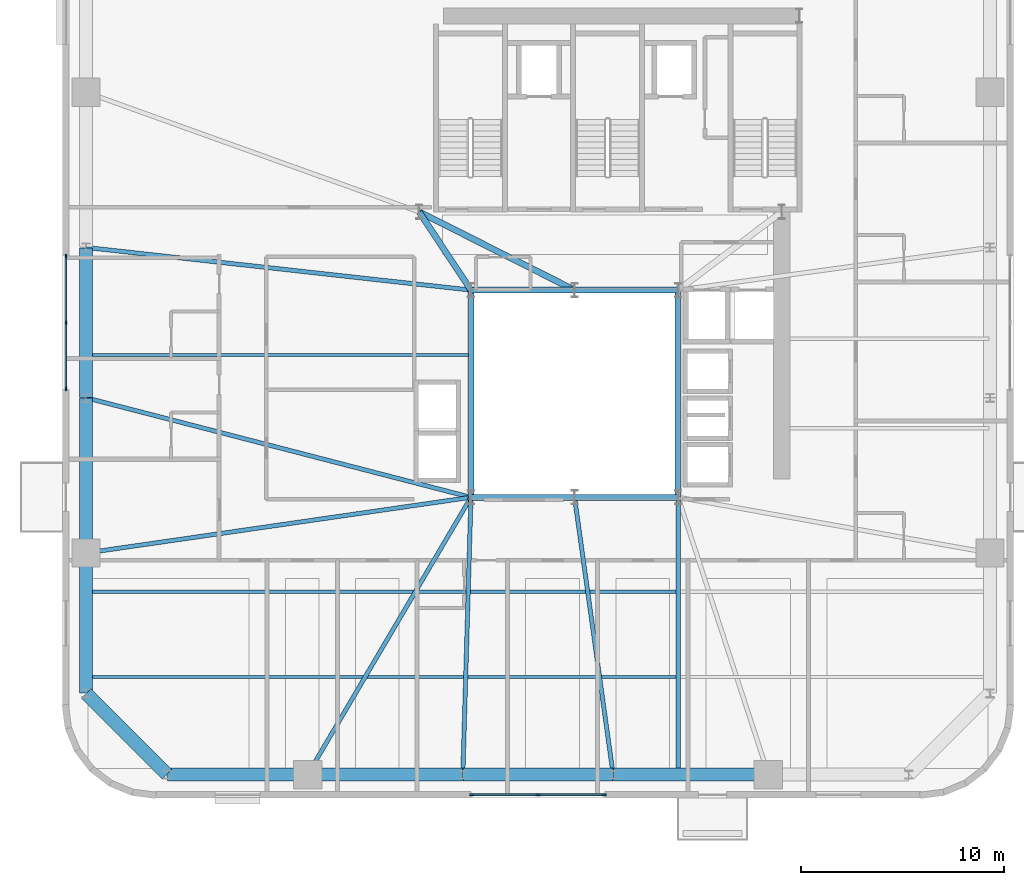
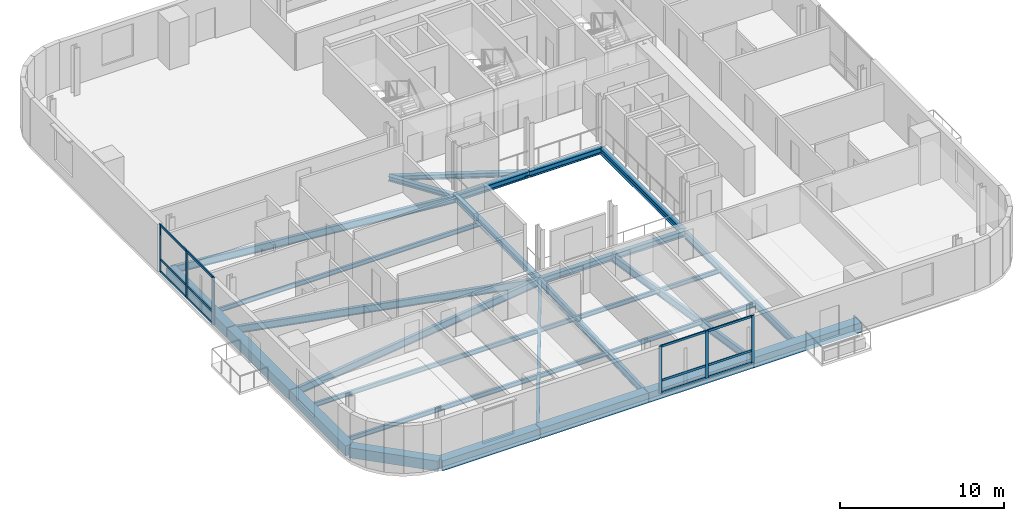
# One storey, part 3 of 12: 26 beams, 18 members, 2 elements without a shape of their own.
"""IFC4 building model written with IfcOpenShell, lengths in metres."""

from ifc_helpers import new_model, si_unit, direction, frame, origin, origin_2d, place, context, subcontext, project, spatial, rectangle, i_section, extrude, source, transform, mapped, material, material_profile, profile_set, type_object, element, aggregate, save


model = new_model("IFC4")

# Units and contexts
model_context = context("Model", 3, precision=1e-05, world=origin(), true_north=direction((0.0, 1.0)))
body_context = subcontext(model_context, "Body", "Model", "MODEL_VIEW")
ifc_project = project(units=[si_unit("LENGTHUNIT", "METRE"), si_unit("AREAUNIT", "SQUARE_METRE"), si_unit("VOLUMEUNIT", "CUBIC_METRE"), si_unit("PLANEANGLEUNIT", "RADIAN"), si_unit("MASSUNIT", "GRAM", prefix="KILO")], contexts=[model_context])

# Site, building, storey
site_placement = place(None, origin())
site = spatial("IfcSite", under=ifc_project, at=site_placement, CompositionType="ELEMENT")
building_placement = place(site_placement, origin())
building = spatial("IfcBuilding", under=site, at=building_placement, Name="Vardaveli Station Tower", CompositionType="ELEMENT")
storey_placement = place(building_placement, frame((0.0, 0.0, 214.800048828125)))
storey = spatial("IfcBuildingStorey", under=building, at=storey_placement, Name="L55", CompositionType="ELEMENT", Elevation=214.800048828125)

# Beams
ifc_material_1 = material(Name="Structural steel S355J2", Category="steel")
ifc_material_profile_1 = material_profile(ifc_material_1, i_section(OverallWidth=0.300048828125, OverallDepth=0.449951171875, WebThickness=0.013916015625, FlangeThickness=0.02587890625, FilletRadius=0.027099609375, at=origin_2d()), Name="HEB 450")
ifc_profile_set_1 = profile_set([ifc_material_profile_1], Name="Structural steel S355J2")
beam_type_1 = type_object("IfcBeamType", Name="BM-HEB450", PredefinedType="BEAM", material=ifc_profile_set_1)
shared_shape_1 = source(origin(), body_context, "Body", "SweptSolid", [
    extrude(i_section(OverallWidth=0.300048828125, OverallDepth=0.449951171875, WebThickness=0.013916015625, FlangeThickness=0.02587890625, FilletRadius=0.027099609375, at=origin_2d()), origin(), (0.0, 0.0, 1.0), 5.06005859375),
])
for number, where, z_axis, x_axis, name in (
    (1, (31.219970703125, 16.60009765625, -0.445068359375), (1.0, 0.0, 0.0), (0.0, 1.0, 0.0), "ABM-L55-01"),
    (2, (36.280029296875, 26.800048828125, -0.445068359375), (-1.0, 0.0, 0.0), (0.0, -1.0, 0.0), "ABM-L55-05"),
):
    element("IfcBeam", number, at=place(storey_placement, frame(where, z_axis=z_axis, x_axis=x_axis)), inside=storey, type_object=beam_type_1, Name=name, PredefinedType="BEAM", context=body_context, shape_type="MappedRepresentation", body=[
        mapped(shared_shape_1, transform((0.0, 0.0, 0.0), scale=1.0)),
    ])
shared_shape_2 = source(origin(), body_context, "Body", "SweptSolid", [
    extrude(i_section(OverallWidth=0.300048828125, OverallDepth=0.449951171875, WebThickness=0.013916015625, FlangeThickness=0.02587890625, FilletRadius=0.027099609375, at=origin_2d()), origin(), (0.0, 0.0, 1.0), 5.059814453125),
])
for number, where, z_axis, x_axis, name in (
    (3, (36.320068359375, 16.60009765625, -0.445068359375), (1.0, 0.0, 0.0), (0.0, 1.0, 0.0), "ABM-L55-02"),
    (4, (41.3798828125, 26.800048828125, -0.445068359375), (-1.0, 0.0, 0.0), (0.0, -1.0, 0.0), "ABM-L55-04"),
):
    element("IfcBeam", number, at=place(storey_placement, frame(where, z_axis=z_axis, x_axis=x_axis)), inside=storey, type_object=beam_type_1, Name=name, PredefinedType="BEAM", context=body_context, shape_type="MappedRepresentation", body=[
        mapped(shared_shape_2, transform((0.0, 0.0, 0.0), scale=1.0)),
    ])
shared_shape_3 = source(origin(), body_context, "Body", "SweptSolid", [
    extrude(i_section(OverallWidth=0.300048828125, OverallDepth=0.449951171875, WebThickness=0.013916015625, FlangeThickness=0.02587890625, FilletRadius=0.027099609375, at=origin_2d()), origin(), (0.0, 0.0, 1.0), 10.159912109375),
])
for number, where, z_axis, x_axis, name in (
    (5, (41.39990234375, 16.6201171875, -0.445068359375), (0.0, 1.0, 0.0), (-1.0, 0.0, 0.0), "ABM-L55-03"),
    (6, (31.199951171875, 26.780029296875, -0.445068359375), (0.0, -1.0, 0.0), (1.0, 0.0, 0.0), "ABM-L55-06"),
):
    element("IfcBeam", number, at=place(storey_placement, frame(where, z_axis=z_axis, x_axis=x_axis)), inside=storey, type_object=beam_type_1, Name=name, PredefinedType="BEAM", context=body_context, shape_type="MappedRepresentation", body=[
        mapped(shared_shape_3, transform((0.0, 0.0, 0.0), scale=1.0)),
    ])
ifc_material_profile_2 = material_profile(ifc_material_1, i_section(OverallWidth=0.300048828125, OverallDepth=0.360107421875, WebThickness=0.012451171875, FlangeThickness=0.0224609375, FilletRadius=0.027099609375, at=origin_2d()), Name="HEB 360")
ifc_profile_set_2 = profile_set([ifc_material_profile_2], Name="Structural steel S355J2")
beam_type_2 = type_object("IfcBeamType", Name="BM-HEB360", PredefinedType="BEAM", material=ifc_profile_set_2)
shared_shape_4 = source(origin(), body_context, "Body", "SweptSolid", [
    extrude(i_section(OverallWidth=0.300048828125, OverallDepth=0.360107421875, WebThickness=0.012451171875, FlangeThickness=0.0224609375, FilletRadius=0.027099609375, at=origin_2d()), origin(), (0.0, 0.0, 1.0), 4.577880859375),
])
beam_1_placement = place(storey_placement, frame((31.18896484375, 26.816650390625, -0.400146484375), z_axis=(-0.55218702139, 0.833720272879, 0.0), x_axis=(-0.833720272879, -0.55218702139, 0.0)))
element("IfcBeam", 7, at=beam_1_placement, inside=storey, type_object=beam_type_2, Name="CBM-L55-01", PredefinedType="BEAM", context=body_context, shape_type="MappedRepresentation", body=[
    mapped(shared_shape_4, transform((0.0, 0.0, 0.0), scale=1.0)),
])
shared_shape_5 = source(origin(), body_context, "Body", "SweptSolid", [
    extrude(i_section(OverallWidth=0.300048828125, OverallDepth=0.360107421875, WebThickness=0.012451171875, FlangeThickness=0.0224609375, FilletRadius=0.027099609375, at=origin_2d()), origin(), (0.0, 0.0, 1.0), 8.524169921875),
])
beam_2_placement = place(storey_placement, frame((28.66796875, 30.64111328125, -0.400146484375), z_axis=(0.893255584708, -0.449549174605, 0.0), x_axis=(0.449549174605, 0.893255584708, 0.0)))
element("IfcBeam", 8, at=beam_2_placement, inside=storey, type_object=beam_type_2, Name="CBM-L55-03", PredefinedType="BEAM", context=body_context, shape_type="MappedRepresentation", body=[
    mapped(shared_shape_5, transform((0.0, 0.0, 0.0), scale=1.0)),
])
ifc_material_2 = material(Name="Precast concrete C45/55", Category="concrete")
ifc_material_profile_3 = material_profile(ifc_material_2, rectangle(XDim=0.64990234375, YDim=0.75, at=origin_2d()), Name="LPB 650x750")
ifc_profile_set_3 = profile_set([ifc_material_profile_3], Name="Precast concrete C45/55")
beam_type_3 = type_object("IfcBeamType", Name="BM-LPB-750", PredefinedType="BEAM", material=ifc_profile_set_3)
shared_shape_6 = source(origin(), body_context, "Body", "SweptSolid", [
    extrude(rectangle(XDim=0.64990234375, YDim=0.75, at=origin_2d()), origin(), (0.0, 0.0, 1.0), 7.60009765625),
])
for number, where, z_axis, x_axis, name in (
    (9, (23.179931640625, 2.949951171875, -0.594970703125), (1.0, 0.0, 0.0), (0.0, 1.0, 0.0), "RBM-L55-01"),
    (10, (38.219970703125, 2.949951171875, -0.594970703125), (1.0, 0.0, 0.0), (0.0, 1.0, 0.0), "RBM-L55-03"),
    (11, (12.25, 21.47998046875, -0.594970703125), (0.0, -1.0, 0.0), (1.0, 0.0, 0.0), "RBM-L55-21"),
):
    element("IfcBeam", number, at=place(storey_placement, frame(where, z_axis=z_axis, x_axis=x_axis)), inside=storey, type_object=beam_type_3, Name=name, PredefinedType="BEAM", context=body_context, shape_type="MappedRepresentation", body=[
        mapped(shared_shape_6, transform((0.0, 0.0, 0.0), scale=1.0)),
    ])
shared_shape_7 = source(origin(), body_context, "Body", "SweptSolid", [
    extrude(rectangle(XDim=0.64990234375, YDim=0.75, at=origin_2d()), origin(), (0.0, 0.0, 1.0), 7.35986328125),
])
for number, where, z_axis, x_axis, name in (
    (12, (30.820068359375, 2.949951171875, -0.594970703125), (1.0, 0.0, 0.0), (0.0, 1.0, 0.0), "RBM-L55-02"),
    (13, (12.25, 28.8798828125, -0.594970703125), (0.0, -1.0, 0.0), (1.0, 0.0, 0.0), "RBM-L55-20"),
):
    element("IfcBeam", number, at=place(storey_placement, frame(where, z_axis=z_axis, x_axis=x_axis)), inside=storey, type_object=beam_type_3, Name=name, PredefinedType="BEAM", context=body_context, shape_type="MappedRepresentation", body=[
        mapped(shared_shape_7, transform((0.0, 0.0, 0.0), scale=1.0)),
    ])
shared_shape_8 = source(origin(), body_context, "Body", "SweptSolid", [
    extrude(rectangle(XDim=0.64990234375, YDim=0.75, at=origin_2d()), origin(), (0.0, 0.0, 1.0), 6.869873046875),
])
beam_3_placement = place(storey_placement, frame((16.27001953125, 2.949951171875, -0.594970703125), z_axis=(1.0, 0.0, 0.0), x_axis=(0.0, 1.0, 0.0)))
element("IfcBeam", 14, at=beam_3_placement, inside=storey, type_object=beam_type_3, Name="RBM-L55-24", PredefinedType="BEAM", context=body_context, shape_type="MappedRepresentation", body=[
    mapped(shared_shape_8, transform((0.0, 0.0, 0.0), scale=1.0)),
])
shared_shape_9 = source(origin(), body_context, "Body", "SweptSolid", [
    extrude(rectangle(XDim=0.64990234375, YDim=0.75, at=origin_2d()), origin(), (0.0, 0.0, 1.0), 5.61669921875),
])
beam_4_placement = place(storey_placement, frame((12.26416015625, 6.935791015625, -0.594970703125), z_axis=(0.707106781187, -0.707106781187, 0.0), x_axis=(0.707106781187, 0.707106781187, 0.0)))
element("IfcBeam", 15, at=beam_4_placement, inside=storey, type_object=beam_type_3, Name="RBM-L55-23", PredefinedType="BEAM", context=body_context, shape_type="MappedRepresentation", body=[
    mapped(shared_shape_9, transform((0.0, 0.0, 0.0), scale=1.0)),
])
shared_shape_10 = source(origin(), body_context, "Body", "SweptSolid", [
    extrude(rectangle(XDim=0.64990234375, YDim=0.75, at=origin_2d()), origin(), (0.0, 0.0, 1.0), 6.8701171875),
])
beam_5_placement = place(storey_placement, frame((12.25, 13.840087890625, -0.594970703125), z_axis=(0.0, -1.0, 0.0), x_axis=(1.0, 0.0, 0.0)))
element("IfcBeam", 16, at=beam_5_placement, inside=storey, type_object=beam_type_3, Name="RBM-L55-22", PredefinedType="BEAM", context=body_context, shape_type="MappedRepresentation", body=[
    mapped(shared_shape_10, transform((0.0, 0.0, 0.0), scale=1.0)),
])
ifc_material_profile_4 = material_profile(ifc_material_1, i_section(OverallWidth=0.2099609375, OverallDepth=0.550048828125, WebThickness=0.010986328125, FlangeThickness=0.01708984375, FilletRadius=0.02392578125, at=origin_2d()), Name="IPE 550")
ifc_profile_set_4 = profile_set([ifc_material_profile_4], Name="Structural steel S355J2")
beam_type_4 = type_object("IfcBeamType", Name="BM-IPE550", PredefinedType="BEAM", material=ifc_profile_set_4)
shared_shape_11 = source(origin(), body_context, "Body", "SweptSolid", [
    extrude(i_section(OverallWidth=0.2099609375, OverallDepth=0.550048828125, WebThickness=0.010986328125, FlangeThickness=0.01708984375, FilletRadius=0.02392578125, at=origin_2d()), origin(), (0.0, 0.0, 1.0), 13.469970703125),
])
beam_6_placement = place(storey_placement, frame((41.39990234375, 2.989990234375, -0.4951171875), z_axis=(0.0, 1.0, 0.0), x_axis=(-1.0, 0.0, 0.0)))
element("IfcBeam", 17, at=beam_6_placement, inside=storey, type_object=beam_type_4, Name="NSM-L55-S2", PredefinedType="BEAM", context=body_context, shape_type="MappedRepresentation", body=[
    mapped(shared_shape_11, transform((0.0, 0.0, 0.0), scale=1.0)),
])
ifc_material_profile_5 = material_profile(ifc_material_1, i_section(OverallWidth=0.159912109375, OverallDepth=0.330078125, WebThickness=0.007568359375, FlangeThickness=0.011474609375, FilletRadius=0.01806640625, at=origin_2d()), Name="IPE 330")
ifc_profile_set_5 = profile_set([ifc_material_profile_5], Name="Structural steel S355J2")
beam_type_5 = type_object("IfcBeamType", Name="BM-IPE330", PredefinedType="JOIST", material=ifc_profile_set_5)
shared_shape_12 = source(origin(), body_context, "Body", "SweptSolid", [
    extrude(i_section(OverallWidth=0.159912109375, OverallDepth=0.330078125, WebThickness=0.007568359375, FlangeThickness=0.011474609375, FilletRadius=0.01806640625, at=origin_2d()), origin(), (0.0, 0.0, 1.0), 28.998046875),
])
for number, where, z_axis, x_axis, name in (
    (18, (12.2900390625, 7.75, -0.385009765625), (1.0, 0.0, 0.0), (0.0, 1.0, 0.0), "SJ-L55-S01"),
    (19, (12.2900390625, 11.949951171875, -0.385009765625), (1.0, 0.0, 0.0), (0.0, 1.0, 0.0), "SJ-L55-S03"),
):
    element("IfcBeam", number, at=place(storey_placement, frame(where, z_axis=z_axis, x_axis=x_axis)), inside=storey, type_object=beam_type_5, Name=name, PredefinedType="JOIST", context=body_context, shape_type="MappedRepresentation", body=[
        mapped(shared_shape_12, transform((0.0, 0.0, 0.0), scale=1.0)),
    ])
shared_shape_13 = source(origin(), body_context, "Body", "SweptSolid", [
    extrude(i_section(OverallWidth=0.159912109375, OverallDepth=0.330078125, WebThickness=0.007568359375, FlangeThickness=0.011474609375, FilletRadius=0.01806640625, at=origin_2d()), origin(), (0.0, 0.0, 1.0), 18.7978515625),
])
beam_7_placement = place(storey_placement, frame((12.2900390625, 23.60009765625, -0.385009765625), z_axis=(1.0, 0.0, 0.0), x_axis=(0.0, 1.0, 0.0)))
element("IfcBeam", 20, at=beam_7_placement, inside=storey, type_object=beam_type_5, Name="SJ-L55-W06", PredefinedType="JOIST", context=body_context, shape_type="MappedRepresentation", body=[
    mapped(shared_shape_13, transform((0.0, 0.0, 0.0), scale=1.0)),
])
shared_shape_14 = source(origin(), body_context, "Body", "SweptSolid", [
    extrude(i_section(OverallWidth=0.2099609375, OverallDepth=0.550048828125, WebThickness=0.010986328125, FlangeThickness=0.01708984375, FilletRadius=0.02392578125, at=origin_2d()), origin(), (0.0, 0.0, 1.0), 15.8017578125),
])
beam_8_placement = place(storey_placement, frame((23.170166015625, 2.96728515625, -0.4951171875), z_axis=(0.507521713546, 0.86163896748, 0.0), x_axis=(-0.86163896748, 0.507521713546, 0.0)))
element("IfcBeam", 21, at=beam_8_placement, inside=storey, type_object=beam_type_4, Name="GBM-L55-01", PredefinedType="BEAM", context=body_context, shape_type="MappedRepresentation", body=[
    mapped(shared_shape_14, transform((0.0, 0.0, 0.0), scale=1.0)),
])
shared_shape_15 = source(origin(), body_context, "Body", "SweptSolid", [
    extrude(i_section(OverallWidth=0.2099609375, OverallDepth=0.550048828125, WebThickness=0.010986328125, FlangeThickness=0.01708984375, FilletRadius=0.02392578125, at=origin_2d()), origin(), (0.0, 0.0, 1.0), 13.615966796875),
])
beam_9_placement = place(storey_placement, frame((30.800537109375, 2.969970703125, -0.4951171875), z_axis=(0.029298411379, 0.9995707094, 0.0), x_axis=(-0.9995707094, 0.029298411379, 0.0)))
element("IfcBeam", 22, at=beam_9_placement, inside=storey, type_object=beam_type_4, Name="GBM-L55-02", PredefinedType="BEAM", context=body_context, shape_type="MappedRepresentation", body=[
    mapped(shared_shape_15, transform((0.0, 0.0, 0.0), scale=1.0)),
])
shared_shape_16 = source(origin(), body_context, "Body", "SweptSolid", [
    extrude(i_section(OverallWidth=0.2099609375, OverallDepth=0.550048828125, WebThickness=0.010986328125, FlangeThickness=0.01708984375, FilletRadius=0.02392578125, at=origin_2d()), origin(), (0.0, 0.0, 1.0), 13.741455078125),
])
beam_10_placement = place(storey_placement, frame((38.197265625, 2.9697265625, -0.4951171875), z_axis=(-0.137868554024, 0.990450534762, 0.0), x_axis=(-0.990450534762, -0.137868554024, 0.0)))
element("IfcBeam", 23, at=beam_10_placement, inside=storey, type_object=beam_type_4, Name="GBM-L55-03", PredefinedType="BEAM", context=body_context, shape_type="MappedRepresentation", body=[
    mapped(shared_shape_16, transform((0.0, 0.0, 0.0), scale=1.0)),
])
shared_shape_17 = source(origin(), body_context, "Body", "SweptSolid", [
    extrude(i_section(OverallWidth=0.2099609375, OverallDepth=0.550048828125, WebThickness=0.010986328125, FlangeThickness=0.01708984375, FilletRadius=0.02392578125, at=origin_2d()), origin(), (0.0, 0.0, 1.0), 19.026123046875),
])
beam_11_placement = place(storey_placement, frame((12.269775390625, 28.897705078125, -0.4951171875), z_axis=(0.993916552721, -0.110135762707, 0.0), x_axis=(0.110135762707, 0.993916552721, 0.0)))
element("IfcBeam", 24, at=beam_11_placement, inside=storey, type_object=beam_type_4, Name="GBM-L55-08", PredefinedType="BEAM", context=body_context, shape_type="MappedRepresentation", body=[
    mapped(shared_shape_17, transform((0.0, 0.0, 0.0), scale=1.0)),
])
shared_shape_18 = source(origin(), body_context, "Body", "SweptSolid", [
    extrude(i_section(OverallWidth=0.2099609375, OverallDepth=0.550048828125, WebThickness=0.010986328125, FlangeThickness=0.01708984375, FilletRadius=0.02392578125, at=origin_2d()), origin(), (0.0, 0.0, 1.0), 19.533447265625),
])
beam_12_placement = place(storey_placement, frame((12.269287109375, 21.494873046875, -0.4951171875), z_axis=(0.968159081778, -0.250335759272, 0.0), x_axis=(0.250335759272, 0.968159081778, 0.0)))
element("IfcBeam", 25, at=beam_12_placement, inside=storey, type_object=beam_type_4, Name="GBM-L55-09", PredefinedType="BEAM", context=body_context, shape_type="MappedRepresentation", body=[
    mapped(shared_shape_18, transform((0.0, 0.0, 0.0), scale=1.0)),
])
shared_shape_19 = source(origin(), body_context, "Body", "SweptSolid", [
    extrude(i_section(OverallWidth=0.2099609375, OverallDepth=0.550048828125, WebThickness=0.010986328125, FlangeThickness=0.01708984375, FilletRadius=0.02392578125, at=origin_2d()), origin(), (0.0, 0.0, 1.0), 19.107177734375),
])
beam_13_placement = place(storey_placement, frame((12.269775390625, 13.86279296875, -0.4951171875), z_axis=(0.989707072711, 0.143108036903, 0.0), x_axis=(-0.143108036903, 0.989707072711, 0.0)))
element("IfcBeam", 26, at=beam_13_placement, inside=storey, type_object=beam_type_4, Name="GBM-L55-10", PredefinedType="BEAM", context=body_context, shape_type="MappedRepresentation", body=[
    mapped(shared_shape_19, transform((0.0, 0.0, 0.0), scale=1.0)),
])

# Curtain wall, members
ifc_material_3 = material(Name="Travertine stone and solar-control glass", Category="masonry")
curtain_wall_type = type_object("IfcCurtainWallType", Name="CW-SYS-5", PredefinedType="NOTDEFINED", material=ifc_material_3)
curtain_wall_1_placement = place(storey_placement, origin())
curtain_wall_1 = element("IfcCurtainWall", 27, at=curtain_wall_1_placement, inside=storey, type_object=curtain_wall_type, Name="CW-L55-S", PredefinedType="NOTDEFINED")
ifc_material_4 = material(Name="Anodised aluminium alloy 6063-T6", Category="aluminium")
ifc_material_profile_6 = material_profile(ifc_material_4, rectangle(XDim=0.080078125, YDim=0.1650390625, at=origin_2d()), Name="CWT 80x165")
ifc_profile_set_6 = profile_set([ifc_material_profile_6], Name="Anodised aluminium alloy 6063-T6")
member_type_1 = type_object("IfcMemberType", Name="CW-SYS-5-TRAN", PredefinedType="NOTDEFINED", material=ifc_profile_set_6)
shared_shape_20 = source(origin(), body_context, "Body", "SweptSolid", [
    extrude(rectangle(XDim=0.080078125, YDim=0.1650390625, at=origin_2d()), origin(), (0.0, 0.0, 1.0), 3.179931640625),
])
member_1_placement = place(storey_placement, frame((31.280029296875, 1.9599609375, 0.0400390625), z_axis=(1.0, 0.0, 0.0), x_axis=(0.0, 1.0, 0.0)))
member_1 = element("IfcMember", 28, at=member_1_placement, type_object=member_type_1, Name="CW-5 transom 1.1", ObjectType="TRANSOM", PredefinedType="USERDEFINED", context=body_context, shape_type="MappedRepresentation", body=[
    mapped(shared_shape_20, transform((0.0, 0.0, 0.0), scale=1.0)),
])
member_2_placement = place(storey_placement, frame((31.280029296875, 1.9599609375, 0.949951171875), z_axis=(1.0, 0.0, 0.0), x_axis=(0.0, 1.0, 0.0)))
member_2 = element("IfcMember", 29, at=member_2_placement, type_object=member_type_1, Name="CW-5 transom 1.2", ObjectType="TRANSOM", PredefinedType="USERDEFINED", context=body_context, shape_type="MappedRepresentation", body=[
    mapped(shared_shape_20, transform((0.0, 0.0, 0.0), scale=1.0)),
])
member_3_placement = place(storey_placement, frame((31.280029296875, 1.9599609375, 3.489990234375), z_axis=(1.0, 0.0, 0.0), x_axis=(0.0, 1.0, 0.0)))
member_3 = element("IfcMember", 30, at=member_3_placement, type_object=member_type_1, Name="CW-5 transom 1.3", ObjectType="TRANSOM", PredefinedType="USERDEFINED", context=body_context, shape_type="MappedRepresentation", body=[
    mapped(shared_shape_20, transform((0.0, 0.0, 0.0), scale=1.0)),
])
member_4_placement = place(storey_placement, frame((34.5400390625, 1.9599609375, 0.0400390625), z_axis=(1.0, 0.0, 0.0), x_axis=(0.0, 1.0, 0.0)))
member_4 = element("IfcMember", 31, at=member_4_placement, type_object=member_type_1, Name="CW-5 transom 2.1", ObjectType="TRANSOM", PredefinedType="USERDEFINED", context=body_context, shape_type="MappedRepresentation", body=[
    mapped(shared_shape_20, transform((0.0, 0.0, 0.0), scale=1.0)),
])
member_5_placement = place(storey_placement, frame((34.5400390625, 1.9599609375, 0.949951171875), z_axis=(1.0, 0.0, 0.0), x_axis=(0.0, 1.0, 0.0)))
member_5 = element("IfcMember", 32, at=member_5_placement, type_object=member_type_1, Name="CW-5 transom 2.2", ObjectType="TRANSOM", PredefinedType="USERDEFINED", context=body_context, shape_type="MappedRepresentation", body=[
    mapped(shared_shape_20, transform((0.0, 0.0, 0.0), scale=1.0)),
])
member_6_placement = place(storey_placement, frame((34.5400390625, 1.9599609375, 3.489990234375), z_axis=(1.0, 0.0, 0.0), x_axis=(0.0, 1.0, 0.0)))
member_6 = element("IfcMember", 33, at=member_6_placement, type_object=member_type_1, Name="CW-5 transom 2.3", ObjectType="TRANSOM", PredefinedType="USERDEFINED", context=body_context, shape_type="MappedRepresentation", body=[
    mapped(shared_shape_20, transform((0.0, 0.0, 0.0), scale=1.0)),
])

curtain_wall_2_placement = place(storey_placement, origin())
curtain_wall_2 = element("IfcCurtainWall", 34, at=curtain_wall_2_placement, inside=storey, type_object=curtain_wall_type, Name="CW-L55-W", PredefinedType="NOTDEFINED")
member_7_placement = place(storey_placement, frame((11.260009765625, 28.419921875, 0.0400390625), z_axis=(0.0, -1.0, 0.0), x_axis=(1.0, 0.0, 0.0)))
member_7 = element("IfcMember", 35, at=member_7_placement, type_object=member_type_1, Name="CW-5 transom 1.1", ObjectType="TRANSOM", PredefinedType="USERDEFINED", context=body_context, shape_type="MappedRepresentation", body=[
    mapped(shared_shape_20, transform((0.0, 0.0, 0.0), scale=1.0)),
])
member_8_placement = place(storey_placement, frame((11.260009765625, 28.419921875, 0.949951171875), z_axis=(0.0, -1.0, 0.0), x_axis=(1.0, 0.0, 0.0)))
member_8 = element("IfcMember", 36, at=member_8_placement, type_object=member_type_1, Name="CW-5 transom 1.2", ObjectType="TRANSOM", PredefinedType="USERDEFINED", context=body_context, shape_type="MappedRepresentation", body=[
    mapped(shared_shape_20, transform((0.0, 0.0, 0.0), scale=1.0)),
])
member_9_placement = place(storey_placement, frame((11.260009765625, 28.419921875, 3.489990234375), z_axis=(0.0, -1.0, 0.0), x_axis=(1.0, 0.0, 0.0)))
member_9 = element("IfcMember", 37, at=member_9_placement, type_object=member_type_1, Name="CW-5 transom 1.3", ObjectType="TRANSOM", PredefinedType="USERDEFINED", context=body_context, shape_type="MappedRepresentation", body=[
    mapped(shared_shape_20, transform((0.0, 0.0, 0.0), scale=1.0)),
])
member_10_placement = place(storey_placement, frame((11.260009765625, 25.159912109375, 0.0400390625), z_axis=(0.0, -1.0, 0.0), x_axis=(1.0, 0.0, 0.0)))
member_10 = element("IfcMember", 38, at=member_10_placement, type_object=member_type_1, Name="CW-5 transom 2.1", ObjectType="TRANSOM", PredefinedType="USERDEFINED", context=body_context, shape_type="MappedRepresentation", body=[
    mapped(shared_shape_20, transform((0.0, 0.0, 0.0), scale=1.0)),
])
member_11_placement = place(storey_placement, frame((11.260009765625, 25.159912109375, 0.949951171875), z_axis=(0.0, -1.0, 0.0), x_axis=(1.0, 0.0, 0.0)))
member_11 = element("IfcMember", 39, at=member_11_placement, type_object=member_type_1, Name="CW-5 transom 2.2", ObjectType="TRANSOM", PredefinedType="USERDEFINED", context=body_context, shape_type="MappedRepresentation", body=[
    mapped(shared_shape_20, transform((0.0, 0.0, 0.0), scale=1.0)),
])
member_12_placement = place(storey_placement, frame((11.260009765625, 25.159912109375, 3.489990234375), z_axis=(0.0, -1.0, 0.0), x_axis=(1.0, 0.0, 0.0)))
member_12 = element("IfcMember", 40, at=member_12_placement, type_object=member_type_1, Name="CW-5 transom 2.3", ObjectType="TRANSOM", PredefinedType="USERDEFINED", context=body_context, shape_type="MappedRepresentation", body=[
    mapped(shared_shape_20, transform((0.0, 0.0, 0.0), scale=1.0)),
])

# Member
ifc_material_profile_7 = material_profile(ifc_material_4, rectangle(XDim=0.080078125, YDim=0.205078125, at=origin_2d()), Name="CWM 80x205")
ifc_profile_set_7 = profile_set([ifc_material_profile_7], Name="Anodised aluminium alloy 6063-T6")
member_type_2 = type_object("IfcMemberType", Name="CW-SYS-5-MULL", PredefinedType="MULLION", material=ifc_profile_set_7)
shared_shape_21 = source(origin(), body_context, "Body", "SweptSolid", [
    extrude(rectangle(XDim=0.080078125, YDim=0.205078125, at=origin_2d()), origin(), (0.0, 0.0, 1.0), 3.530029296875),
])
member_13_placement = place(storey_placement, frame((31.239990234375, 1.9599609375, 0.0), z_axis=(0.0, 0.0, 1.0), x_axis=(0.0, 1.0, 0.0)))
member_13 = element("IfcMember", 41, at=member_13_placement, type_object=member_type_2, Name="CW-5 mullion 1", PredefinedType="MULLION", context=body_context, shape_type="MappedRepresentation", body=[
    mapped(shared_shape_21, transform((0.0, 0.0, 0.0), scale=1.0)),
])

member_14_placement = place(storey_placement, frame((34.5, 1.9599609375, 0.0), z_axis=(0.0, 0.0, 1.0), x_axis=(0.0, 1.0, 0.0)))
member_14 = element("IfcMember", 42, at=member_14_placement, type_object=member_type_2, Name="CW-5 mullion 2", PredefinedType="MULLION", context=body_context, shape_type="MappedRepresentation", body=[
    mapped(shared_shape_21, transform((0.0, 0.0, 0.0), scale=1.0)),
])

member_15_placement = place(storey_placement, frame((37.760009765625, 1.9599609375, 0.0), z_axis=(0.0, 0.0, 1.0), x_axis=(0.0, 1.0, 0.0)))
member_15 = element("IfcMember", 43, at=member_15_placement, type_object=member_type_2, Name="CW-5 mullion 3", PredefinedType="MULLION", context=body_context, shape_type="MappedRepresentation", body=[
    mapped(shared_shape_21, transform((0.0, 0.0, 0.0), scale=1.0)),
])

aggregate(curtain_wall_1, [member_13, member_14, member_15, member_1, member_2, member_3, member_4, member_5, member_6])

member_16_placement = place(storey_placement, frame((11.260009765625, 28.4599609375, 0.0), z_axis=(0.0, 0.0, 1.0), x_axis=(1.0, 0.0, 0.0)))
member_16 = element("IfcMember", 44, at=member_16_placement, type_object=member_type_2, Name="CW-5 mullion 1", PredefinedType="MULLION", context=body_context, shape_type="MappedRepresentation", body=[
    mapped(shared_shape_21, transform((0.0, 0.0, 0.0), scale=1.0)),
])

member_17_placement = place(storey_placement, frame((11.260009765625, 25.199951171875, 0.0), z_axis=(0.0, 0.0, 1.0), x_axis=(1.0, 0.0, 0.0)))
member_17 = element("IfcMember", 45, at=member_17_placement, type_object=member_type_2, Name="CW-5 mullion 2", PredefinedType="MULLION", context=body_context, shape_type="MappedRepresentation", body=[
    mapped(shared_shape_21, transform((0.0, 0.0, 0.0), scale=1.0)),
])

member_18_placement = place(storey_placement, frame((11.260009765625, 21.93994140625, 0.0), z_axis=(0.0, 0.0, 1.0), x_axis=(1.0, 0.0, 0.0)))
member_18 = element("IfcMember", 46, at=member_18_placement, type_object=member_type_2, Name="CW-5 mullion 3", PredefinedType="MULLION", context=body_context, shape_type="MappedRepresentation", body=[
    mapped(shared_shape_21, transform((0.0, 0.0, 0.0), scale=1.0)),
])

aggregate(curtain_wall_2, [member_16, member_17, member_18, member_7, member_8, member_9, member_10, member_11, member_12])

save(model, "model.ifc")
